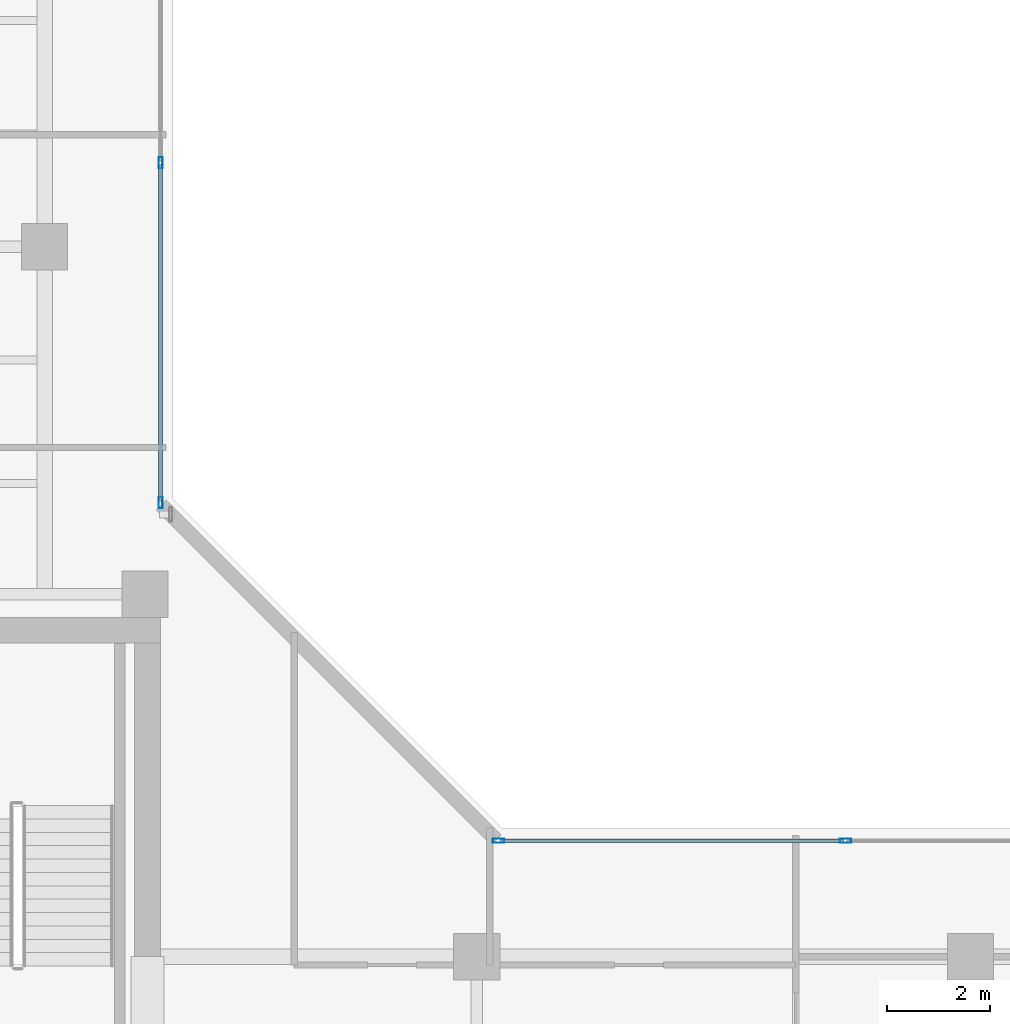
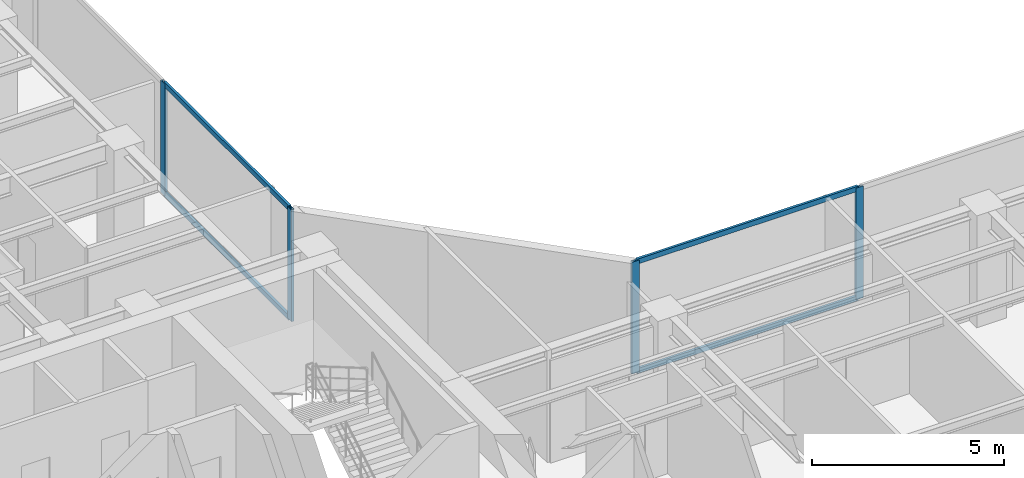
# One storey, part 10 of 24: 8 members, 2 elements without a shape of their own.
"""IFC4 building model written with IfcOpenShell, lengths in metres."""

from ifc_helpers import new_model, si_unit, direction, frame, origin, origin_with_axes, origin_2d, place, context, subcontext, project, spatial, hollow_rectangle, extrude, source, transform, mapped, material, layer, layer_set, material_profile, profile_set, type_object, element, aggregate, save


model = new_model("IFC4")

# Units and contexts
model_context = context("Model", 3, precision=1e-05, world=origin(), true_north=direction((0.0, 1.0)))
body_context = subcontext(model_context, "Body", "Model", "MODEL_VIEW")
ifc_project = project(units=[si_unit("LENGTHUNIT", "METRE"), si_unit("AREAUNIT", "SQUARE_METRE"), si_unit("VOLUMEUNIT", "CUBIC_METRE"), si_unit("PLANEANGLEUNIT", "RADIAN"), si_unit("MASSUNIT", "GRAM", prefix="KILO")], contexts=[model_context])

# Site, building, storey
site_placement = place(None, origin())
site = spatial("IfcSite", under=ifc_project, at=site_placement, CompositionType="ELEMENT")
building_placement = place(site_placement, origin())
building = spatial("IfcBuilding", under=site, at=building_placement, Name="Kolvaren Waterfront Exchange", CompositionType="ELEMENT")
storey_placement = place(building_placement, frame((0.0, 0.0, 300.800048828125)))
storey = spatial("IfcBuildingStorey", under=building, at=storey_placement, Name="L77", CompositionType="ELEMENT", Elevation=300.800048828125)

# Curtain wall, members
ifc_material_1 = material(Name="Anodised bronze aluminium 6063-T6", Category="aluminium")
ifc_layer = layer(ifc_material_1, 0.219970703125, Name="Anodised bronze aluminium 6063-T6")
ifc_layer_set = layer_set([ifc_layer], Name="Anodised bronze aluminium 6063-T6")
curtain_wall_type = type_object("IfcCurtainWallType", Name="ARC-CW-SYS1", PredefinedType="USERDEFINED", material=ifc_layer_set)
curtain_wall_1_placement = place(storey_placement, origin())
curtain_wall_1 = element("IfcCurtainWall", 1, at=curtain_wall_1_placement, inside=storey, type_object=curtain_wall_type, Name="L77 stick curtain wall CW1 (CW-L77-NE)", ObjectType="STICK CURTAIN WALL", PredefinedType="USERDEFINED")
ifc_material_2 = material(Name="Anodised aluminium 6063-T6", Category="aluminium")
ifc_material_profile_1 = material_profile(ifc_material_2, hollow_rectangle(XDim=0.080078125, YDim=0.219970703125, WallThickness=0.0048828125, at=origin_2d()), Name="ALU-MUL-220x80x5")
ifc_profile_set_1 = profile_set([ifc_material_profile_1], Name="Anodised aluminium 6063-T6")
member_type_1 = type_object("IfcMemberType", Name="ARC-CWM-220", PredefinedType="MULLION", material=ifc_profile_set_1)
shared_shape_1 = source(origin_with_axes(), body_context, "Body", "SweptSolid", [
    extrude(hollow_rectangle(XDim=0.080078125, YDim=0.219970703125, WallThickness=0.0048828125, at=origin_2d()), origin(), (0.0, 0.0, 1.0), 3.56005859375),
])
member_1_placement = place(storey_placement, frame((21.0546875, 26.224609375, 0.0), z_axis=(0.0, 0.0, 1.0), x_axis=(-1.0, 0.0, 0.0)))
member_1 = element("IfcMember", 2, at=member_1_placement, type_object=member_type_1, Name="CW1 mullion 1", PredefinedType="MULLION", context=body_context, shape_type="MappedRepresentation", body=[
    mapped(shared_shape_1, transform((0.0, 0.0, 0.0), x_axis=(1.0, 0.0, 0.0), y_axis=(0.0, 1.0, 0.0), z_axis=(0.0, 0.0, 1.0), scale=1.0)),
])
member_2_placement = place(storey_placement, frame((21.0546875, 32.833740234375, 0.0), z_axis=(0.0, 0.0, 1.0), x_axis=(-1.0, 0.0, 0.0)))
member_2 = element("IfcMember", 3, at=member_2_placement, type_object=member_type_1, Name="CW1 mullion 2", PredefinedType="MULLION", context=body_context, shape_type="MappedRepresentation", body=[
    mapped(shared_shape_1, transform((0.0, 0.0, 0.0), x_axis=(1.0, 0.0, 0.0), y_axis=(0.0, 1.0, 0.0), z_axis=(0.0, 0.0, 1.0), scale=1.0)),
])

curtain_wall_2_placement = place(storey_placement, origin())
curtain_wall_2 = element("IfcCurtainWall", 4, at=curtain_wall_2_placement, inside=storey, type_object=curtain_wall_type, Name="L77 stick curtain wall CW1 (CW-L77-EN)", ObjectType="STICK CURTAIN WALL", PredefinedType="USERDEFINED")
member_3_placement = place(storey_placement, frame((27.624755859375, 19.65478515625, 0.0), z_axis=(0.0, 0.0, 1.0), x_axis=(0.0, 1.0, 0.0)))
member_3 = element("IfcMember", 5, at=member_3_placement, type_object=member_type_1, Name="CW1 mullion 1", PredefinedType="MULLION", context=body_context, shape_type="MappedRepresentation", body=[
    mapped(shared_shape_1, transform((0.0, 0.0, 0.0), x_axis=(1.0, 0.0, 0.0), y_axis=(0.0, 1.0, 0.0), z_axis=(0.0, 0.0, 1.0), scale=1.0)),
])
member_4_placement = place(storey_placement, frame((34.366943359375, 19.65478515625, 0.0), z_axis=(0.0, 0.0, 1.0), x_axis=(0.0, 1.0, 0.0)))
member_4 = element("IfcMember", 6, at=member_4_placement, type_object=member_type_1, Name="CW1 mullion 2", PredefinedType="MULLION", context=body_context, shape_type="MappedRepresentation", body=[
    mapped(shared_shape_1, transform((0.0, 0.0, 0.0), x_axis=(1.0, 0.0, 0.0), y_axis=(0.0, 1.0, 0.0), z_axis=(0.0, 0.0, 1.0), scale=1.0)),
])
ifc_material_profile_2 = material_profile(ifc_material_2, hollow_rectangle(XDim=0.074951171875, YDim=0.159912109375, WallThickness=0.00439453125, at=origin_2d()), Name="ALU-TRN-160x75x4.5")
ifc_profile_set_2 = profile_set([ifc_material_profile_2], Name="Anodised aluminium 6063-T6")
member_type_2 = type_object("IfcMemberType", Name="ARC-CWT-160", PredefinedType="USERDEFINED", material=ifc_profile_set_2)
shared_shape_2 = source(origin_with_axes(), body_context, "Body", "SweptSolid", [
    extrude(hollow_rectangle(XDim=0.074951171875, YDim=0.159912109375, WallThickness=0.00439453125, at=origin_2d()), origin(), (0.0, 0.0, 1.0), 6.662109375),
])
member_5_placement = place(storey_placement, frame((27.664794921875, 19.65478515625, 0.037353515625), z_axis=(1.0, 0.0, 0.0), x_axis=(0.0, 1.0, 0.0)))
member_5 = element("IfcMember", 7, at=member_5_placement, type_object=member_type_2, Name="CW1 transom 1.1", ObjectType="TRANSOM", PredefinedType="USERDEFINED", context=body_context, shape_type="MappedRepresentation", body=[
    mapped(shared_shape_2, transform((0.0, 0.0, 0.0), x_axis=(1.0, 0.0, 0.0), y_axis=(0.0, 1.0, 0.0), z_axis=(0.0, 0.0, 1.0), scale=1.0)),
])
member_6_placement = place(storey_placement, frame((27.664794921875, 19.65478515625, 3.5224609375), z_axis=(1.0, 0.0, 0.0), x_axis=(0.0, 1.0, 0.0)))
member_6 = element("IfcMember", 8, at=member_6_placement, type_object=member_type_2, Name="CW1 transom 1.2", ObjectType="TRANSOM", PredefinedType="USERDEFINED", context=body_context, shape_type="MappedRepresentation", body=[
    mapped(shared_shape_2, transform((0.0, 0.0, 0.0), x_axis=(1.0, 0.0, 0.0), y_axis=(0.0, 1.0, 0.0), z_axis=(0.0, 0.0, 1.0), scale=1.0)),
])
aggregate(curtain_wall_2, [member_3, member_4, member_5, member_6])

# Member
shared_shape_3 = source(origin_with_axes(), body_context, "Body", "SweptSolid", [
    extrude(hollow_rectangle(XDim=0.074951171875, YDim=0.159912109375, WallThickness=0.00439453125, at=origin_2d()), origin(), (0.0, 0.0, 1.0), 6.529052734375),
])
member_7_placement = place(storey_placement, frame((21.0546875, 26.2646484375, 0.037353515625), z_axis=(0.0, 1.0, 0.0), x_axis=(-1.0, 0.0, 0.0)))
member_7 = element("IfcMember", 9, at=member_7_placement, type_object=member_type_2, Name="CW1 transom 1.1", ObjectType="TRANSOM", PredefinedType="USERDEFINED", context=body_context, shape_type="MappedRepresentation", body=[
    mapped(shared_shape_3, transform((0.0, 0.0, 0.0), x_axis=(1.0, 0.0, 0.0), y_axis=(0.0, 1.0, 0.0), z_axis=(0.0, 0.0, 1.0), scale=1.0)),
])

member_8_placement = place(storey_placement, frame((21.0546875, 26.2646484375, 3.5224609375), z_axis=(0.0, 1.0, 0.0), x_axis=(-1.0, 0.0, 0.0)))
member_8 = element("IfcMember", 10, at=member_8_placement, type_object=member_type_2, Name="CW1 transom 1.2", ObjectType="TRANSOM", PredefinedType="USERDEFINED", context=body_context, shape_type="MappedRepresentation", body=[
    mapped(shared_shape_3, transform((0.0, 0.0, 0.0), x_axis=(1.0, 0.0, 0.0), y_axis=(0.0, 1.0, 0.0), z_axis=(0.0, 0.0, 1.0), scale=1.0)),
])

aggregate(curtain_wall_1, [member_1, member_2, member_7, member_8])

save(model, "model.ifc")
